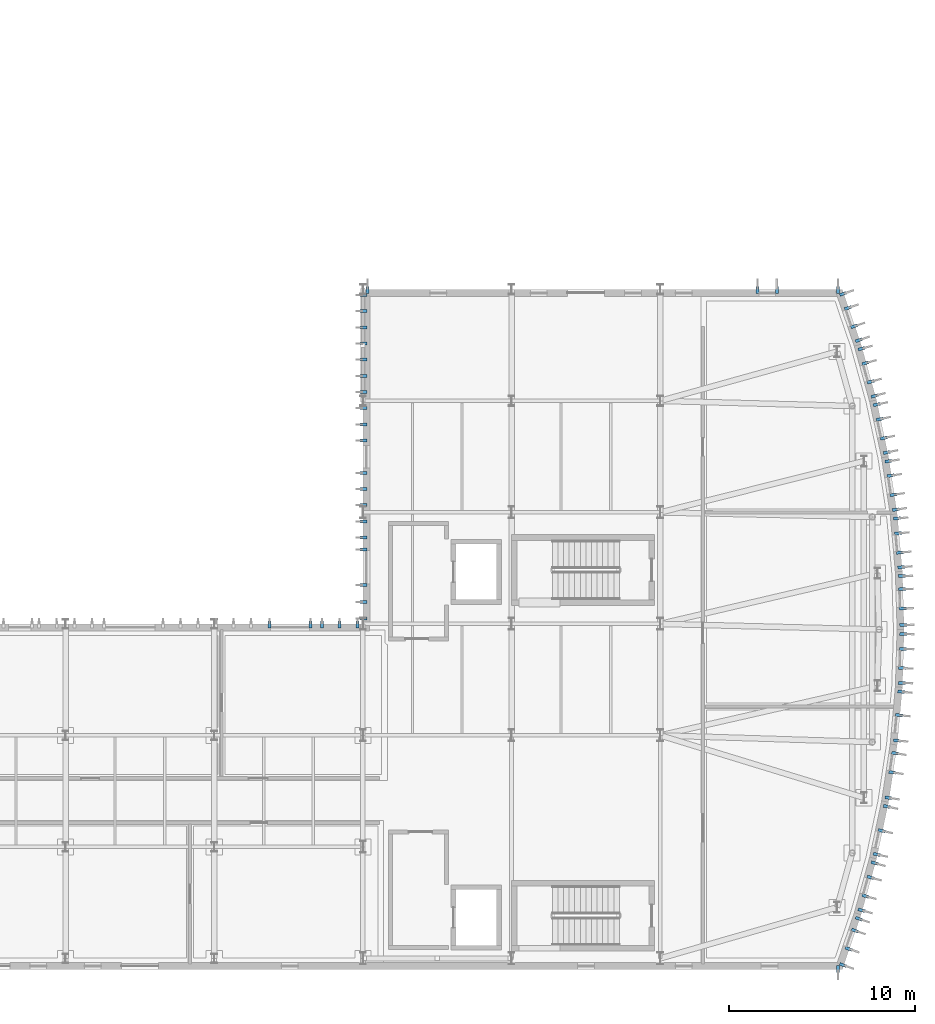
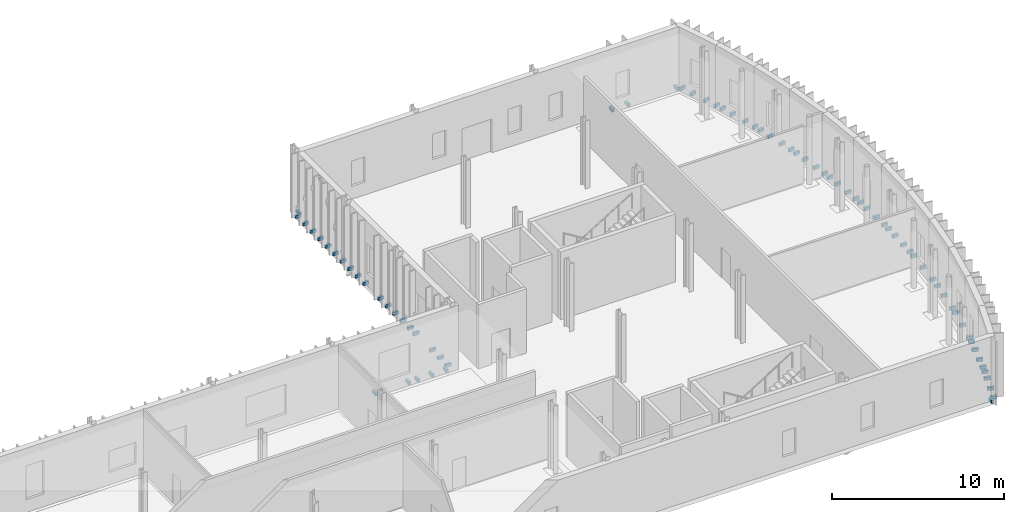
# One storey, part 39 of 60: 74 discrete accessories.
"""IFC4 building model written with IfcOpenShell, lengths in metres."""

from ifc_helpers import new_model, si_unit, direction, frame, origin, origin_2d, place, context, subcontext, project, spatial, rectangle, extrude, material, type_object, element, save


model = new_model("IFC4")

# Units and contexts
model_context = context("Model", 3, precision=1e-05, world=origin(), true_north=direction((0.0, 1.0)))
body_context = subcontext(model_context, "Body", "Model", "MODEL_VIEW")
ifc_project = project(units=[si_unit("LENGTHUNIT", "METRE"), si_unit("AREAUNIT", "SQUARE_METRE"), si_unit("VOLUMEUNIT", "CUBIC_METRE"), si_unit("PLANEANGLEUNIT", "RADIAN"), si_unit("MASSUNIT", "GRAM", prefix="KILO")], contexts=[model_context])

# Site, building, storey
site_placement = place(None, origin())
site = spatial("IfcSite", under=ifc_project, at=site_placement, CompositionType="ELEMENT")
building_placement = place(site_placement, origin())
building = spatial("IfcBuilding", under=site, at=building_placement, Name="Cymarion Research Institute", CompositionType="ELEMENT")
storey_placement = place(building_placement, origin())
storey = spatial("IfcBuildingStorey", under=building, at=storey_placement, Name="L00", CompositionType="ELEMENT", Elevation=0.0)

# Discrete accessories
ifc_material = material(Name="Steel S355", Category="steel")
discrete_accessory_type = type_object("IfcDiscreteAccessoryType", Name="STAINLESS STEEL FACADE FIN BRACKET FBK1", PredefinedType="BRACKET", material=ifc_material)
for number, where, z_axis, x_axis, name in (
    (1, (164.159912109375, 4.93994140625, -0.08984375), (0.0, 0.0, 1.0), (0.0, -1.0, 0.0), "L00 V1 precast fin anchor bracket #4"),
    (2, (164.439697265625, 5.139892578125, -0.08984375), (0.0, 0.0, 1.0), (0.946141878672, -0.32375229022, 0.0), "L00 V1 precast fin anchor bracket #5"),
    (3, (164.7392578125, 6.014892578125, -0.08984375), (0.0, 0.0, 1.0), (0.946141878672, -0.32375229022, 0.0), "L00 V1 precast fin anchor bracket #6"),
    (4, (165.07568359375, 6.998779296875, -0.08984375), (0.0, 0.0, 1.0), (0.946141878672, -0.32375229022, 0.0), "L00 V1 precast fin anchor bracket #7"),
    (5, (165.293212890625, 7.634521484375, -0.08984375), (0.0, 0.0, 1.0), (0.946141878672, -0.32375229022, 0.0), "L00 V1 precast fin anchor bracket #8"),
    (6, (165.43408203125, 8.090576171875, -0.08984375), (0.0, 0.0, 1.0), (0.963863295733, -0.266397348219, 0.0), "L00 V1 precast fin anchor bracket #9"),
    (7, (165.645263671875, 8.853759765625, -0.08984375), (0.0, 0.0, 1.0), (0.963863295733, -0.266397348219, 0.0), "L00 V1 precast fin anchor bracket #10"),
    (8, (165.92236328125, 9.856201171875, -0.08984375), (0.0, 0.0, 1.0), (0.963863295733, -0.266397348219, 0.0), "L00 V1 precast fin anchor bracket #11"),
    (9, (166.13671875, 10.631591796875, -0.08984375), (0.0, 0.0, 1.0), (0.963863295733, -0.266397348219, 0.0), "L00 V1 precast fin anchor bracket #12"),
    (10, (166.25, 11.09521484375, -0.08984375), (0.0, 0.0, 1.0), (0.978074966272, -0.208253116068, 0.0), "L00 V1 precast fin anchor bracket #13"),
    (11, (166.52099609375, 12.36767578125, -0.08984375), (0.0, 0.0, 1.0), (0.978074966272, -0.208253116068, 0.0), "L00 V1 precast fin anchor bracket #14"),
    (12, (166.799072265625, 13.673583984375, -0.08984375), (0.0, 0.0, 1.0), (0.978074966272, -0.208253116068, 0.0), "L00 V1 precast fin anchor bracket #15"),
    (13, (166.884521484375, 14.143310546875, -0.08984375), (0.0, 0.0, 1.0), (0.988782464828, -0.149362770624, 0.0), "L00 V1 precast fin anchor bracket #16"),
    (14, (167.091064453125, 15.511962890625, -0.08984375), (0.0, 0.0, 1.0), (0.988782464828, -0.149362770624, 0.0), "L00 V1 precast fin anchor bracket #17"),
    (15, (167.24609375, 16.540283203125, -0.08984375), (0.0, 0.0, 1.0), (0.988782464828, -0.149362770624, 0.0), "L00 V1 precast fin anchor bracket #18"),
    (16, (167.3349609375, 17.22412109375, -0.08984375), (0.0, 0.0, 1.0), (0.995963111248, -0.089763472712, 0.0), "L00 V1 precast fin anchor bracket #19"),
    (17, (167.457763671875, 18.58544921875, -0.08984375), (0.0, 0.0, 1.0), (0.995963111248, -0.089763472712, 0.0), "L00 V1 precast fin anchor bracket #20"),
    (18, (167.57177734375, 19.849609375, -0.08984375), (0.0, 0.0, 1.0), (0.995963111248, -0.089763472712, 0.0), "L00 V1 precast fin anchor bracket #21"),
    (19, (167.600341796875, 20.326171875, -0.08984375), (0.0, 0.0, 1.0), (0.99954944375, -0.030015154483, 0.0), "L00 V1 precast fin anchor bracket #22"),
    (20, (167.6240234375, 21.117919921875, -0.08984375), (0.0, 0.0, 1.0), (0.99954944375, -0.030015154483, 0.0), "L00 V1 precast fin anchor bracket #23"),
    (21, (167.6552734375, 22.157470703125, -0.08984375), (0.0, 0.0, 1.0), (0.99954944375, -0.030015154483, 0.0), "L00 V1 precast fin anchor bracket #24"),
    (22, (167.67919921875, 22.961181640625, -0.08984375), (0.0, 0.0, 1.0), (0.99954944375, -0.030015154483, 0.0), "L00 V1 precast fin anchor bracket #25"),
    (23, (167.67919921875, 23.438720703125, -0.08984375), (0.0, 0.0, 1.0), (0.99954944375, 0.030015154483, 0.0), "L00 V1 precast fin anchor bracket #26"),
    (24, (167.652587890625, 24.330322265625, -0.08984375), (0.0, 0.0, 1.0), (0.99954944375, 0.030015154483, 0.0), "L00 V1 precast fin anchor bracket #27"),
    (25, (167.621337890625, 25.369873046875, -0.08984375), (0.0, 0.0, 1.0), (0.99954944375, 0.030015154483, 0.0), "L00 V1 precast fin anchor bracket #28"),
    (26, (167.600341796875, 26.07373046875, -0.08984375), (0.0, 0.0, 1.0), (0.99954944375, 0.030015154483, 0.0), "L00 V1 precast fin anchor bracket #29"),
    (27, (167.57177734375, 26.55029296875, -0.08984375), (0.0, 0.0, 1.0), (0.995963111248, 0.089763472712, 0.0), "L00 V1 precast fin anchor bracket #30"),
    (28, (167.50048828125, 27.339111328125, -0.08984375), (0.0, 0.0, 1.0), (0.995963111248, 0.089763472712, 0.0), "L00 V1 precast fin anchor bracket #31"),
    (29, (167.4072265625, 28.375, -0.08984375), (0.0, 0.0, 1.0), (0.995963111248, 0.089763472712, 0.0), "L00 V1 precast fin anchor bracket #32"),
    (30, (167.3349609375, 29.176025390625, -0.08984375), (0.0, 0.0, 1.0), (0.995963111248, 0.089763472712, 0.0), "L00 V1 precast fin anchor bracket #33"),
    (31, (167.27783203125, 29.64990234375, -0.08984375), (0.0, 0.0, 1.0), (0.988782464828, 0.149362770624, 0.0), "L00 V1 precast fin anchor bracket #34"),
    (32, (167.156982421875, 30.450927734375, -0.08984375), (0.0, 0.0, 1.0), (0.988782464828, 0.149362770624, 0.0), "L00 V1 precast fin anchor bracket #35"),
    (33, (167.001708984375, 31.479248046875, -0.08984375), (0.0, 0.0, 1.0), (0.988782464828, 0.149362770624, 0.0), "L00 V1 precast fin anchor bracket #36"),
    (34, (166.884521484375, 32.256591796875, -0.08984375), (0.0, 0.0, 1.0), (0.988782464828, 0.149362770624, 0.0), "L00 V1 precast fin anchor bracket #37"),
    (35, (166.799072265625, 32.726318359375, -0.08984375), (0.0, 0.0, 1.0), (0.978074966272, 0.208253116068, 0.0), "L00 V1 precast fin anchor bracket #38"),
    (36, (166.634033203125, 33.5009765625, -0.08984375), (0.0, 0.0, 1.0), (0.978074966272, 0.208253116068, 0.0), "L00 V1 precast fin anchor bracket #39"),
    (37, (166.41748046875, 34.518310546875, -0.08984375), (0.0, 0.0, 1.0), (0.978074966272, 0.208253116068, 0.0), "L00 V1 precast fin anchor bracket #40"),
    (38, (166.25, 35.3046875, -0.08984375), (0.0, 0.0, 1.0), (0.978074966272, 0.208253116068, 0.0), "L00 V1 precast fin anchor bracket #41"),
    (39, (166.13671875, 35.7685546875, -0.08984375), (0.0, 0.0, 1.0), (0.963863295733, 0.266397348219, 0.0), "L00 V1 precast fin anchor bracket #42"),
    (40, (165.925537109375, 36.531982421875, -0.08984375), (0.0, 0.0, 1.0), (0.963863295733, 0.266397348219, 0.0), "L00 V1 precast fin anchor bracket #43"),
    (41, (165.6484375, 37.5341796875, -0.08984375), (0.0, 0.0, 1.0), (0.963863295733, 0.266397348219, 0.0), "L00 V1 precast fin anchor bracket #44"),
    (42, (165.43408203125, 38.3095703125, -0.08984375), (0.0, 0.0, 1.0), (0.963863295733, 0.266397348219, 0.0), "L00 V1 precast fin anchor bracket #45"),
    (43, (165.293212890625, 38.765625, -0.08984375), (0.0, 0.0, 1.0), (0.946141878672, 0.32375229022, 0.0), "L00 V1 precast fin anchor bracket #46"),
    (44, (165.036865234375, 39.514892578125, -0.08984375), (0.0, 0.0, 1.0), (0.946141878672, 0.32375229022, 0.0), "L00 V1 precast fin anchor bracket #47"),
    (45, (164.7001953125, 40.4990234375, -0.08984375), (0.0, 0.0, 1.0), (0.946141878672, 0.32375229022, 0.0), "L00 V1 precast fin anchor bracket #48"),
    (46, (164.439697265625, 41.260009765625, -0.08984375), (0.0, 0.0, 1.0), (0.946141878672, 0.32375229022, 0.0), "L00 V1 precast fin anchor bracket #49"),
    (47, (164.159912109375, 41.4599609375, -0.08984375), (0.0, 0.0, 1.0), (0.0, 1.0, 0.0), "L00 V1 precast fin anchor bracket #50"),
    (48, (160.873291015625, 41.4599609375, -0.08984375), (0.0, 0.0, 1.0), (0.0, 1.0, 0.0), "L00 V1 precast fin anchor bracket #51"),
    (49, (159.83349609375, 41.4599609375, -0.08984375), (0.0, 0.0, 1.0), (0.0, 1.0, 0.0), "L00 V1 precast fin anchor bracket #52"),
    (50, (138.840087890625, 41.4599609375, -0.08984375), (0.0, 0.0, 1.0), (0.0, 1.0, 0.0), "L00 V1 precast fin anchor bracket #53"),
    (51, (138.639892578125, 41.199951171875, -0.08984375), (0.0, 0.0, 1.0), (-1.0, 0.0, 0.0), "L00 V1 precast fin anchor bracket #54"),
    (52, (138.639892578125, 40.330078125, -0.08984375), (0.0, 0.0, 1.0), (-1.0, 0.0, 0.0), "L00 V1 precast fin anchor bracket #55"),
    (53, (138.639892578125, 39.4599609375, -0.08984375), (0.0, 0.0, 1.0), (-1.0, 0.0, 0.0), "L00 V1 precast fin anchor bracket #56"),
    (54, (138.639892578125, 38.590087890625, -0.08984375), (0.0, 0.0, 1.0), (-1.0, 0.0, 0.0), "L00 V1 precast fin anchor bracket #57"),
    (55, (138.639892578125, 37.719970703125, -0.08984375), (0.0, 0.0, 1.0), (-1.0, 0.0, 0.0), "L00 V1 precast fin anchor bracket #58"),
    (56, (138.639892578125, 36.85009765625, -0.08984375), (0.0, 0.0, 1.0), (-1.0, 0.0, 0.0), "L00 V1 precast fin anchor bracket #59"),
    (57, (138.639892578125, 35.97998046875, -0.08984375), (0.0, 0.0, 1.0), (-1.0, 0.0, 0.0), "L00 V1 precast fin anchor bracket #60"),
    (58, (138.639892578125, 35.110107421875, -0.08984375), (0.0, 0.0, 1.0), (-1.0, 0.0, 0.0), "L00 V1 precast fin anchor bracket #61"),
    (59, (138.639892578125, 34.239990234375, -0.08984375), (0.0, 0.0, 1.0), (-1.0, 0.0, 0.0), "L00 V1 precast fin anchor bracket #62"),
    (60, (138.639892578125, 33.3701171875, -0.08984375), (0.0, 0.0, 1.0), (-1.0, 0.0, 0.0), "L00 V1 precast fin anchor bracket #63"),
    (61, (138.639892578125, 31.6298828125, -0.08984375), (0.0, 0.0, 1.0), (-1.0, 0.0, 0.0), "L00 V1 precast fin anchor bracket #64"),
    (62, (138.639892578125, 30.760009765625, -0.08984375), (0.0, 0.0, 1.0), (-1.0, 0.0, 0.0), "L00 V1 precast fin anchor bracket #65"),
    (63, (138.639892578125, 29.889892578125, -0.08984375), (0.0, 0.0, 1.0), (-1.0, 0.0, 0.0), "L00 V1 precast fin anchor bracket #66"),
    (64, (138.639892578125, 29.02001953125, -0.08984375), (0.0, 0.0, 1.0), (-1.0, 0.0, 0.0), "L00 V1 precast fin anchor bracket #67"),
    (65, (138.639892578125, 28.14990234375, -0.08984375), (0.0, 0.0, 1.0), (-1.0, 0.0, 0.0), "L00 V1 precast fin anchor bracket #68"),
    (66, (138.639892578125, 27.510009765625, -0.08984375), (0.0, 0.0, 1.0), (-1.0, 0.0, 0.0), "L00 V1 precast fin anchor bracket #69"),
    (67, (138.639892578125, 25.590087890625, -0.08984375), (0.0, 0.0, 1.0), (-1.0, 0.0, 0.0), "L00 V1 precast fin anchor bracket #70"),
    (68, (138.639892578125, 24.669921875, -0.08984375), (0.0, 0.0, 1.0), (-1.0, 0.0, 0.0), "L00 V1 precast fin anchor bracket #71"),
    (69, (138.639892578125, 23.800048828125, -0.08984375), (0.0, 0.0, 1.0), (-1.0, 0.0, 0.0), "L00 V1 precast fin anchor bracket #72"),
    (70, (138.300048828125, 23.4599609375, -0.08984375), (0.0, 0.0, 1.0), (0.0, 1.0, 0.0), "L00 V1 precast fin anchor bracket #73"),
    (71, (137.3486328125, 23.4599609375, -0.08984375), (0.0, 0.0, 1.0), (0.0, 1.0, 0.0), "L00 V1 precast fin anchor bracket #74"),
    (72, (136.397216796875, 23.4599609375, -0.08984375), (0.0, 0.0, 1.0), (0.0, 1.0, 0.0), "L00 V1 precast fin anchor bracket #75"),
    (73, (135.7900390625, 23.4599609375, -0.08984375), (0.0, 0.0, 1.0), (0.0, 1.0, 0.0), "L00 V1 precast fin anchor bracket #76"),
    (74, (133.570068359375, 23.4599609375, -0.08984375), (0.0, 0.0, 1.0), (0.0, 1.0, 0.0), "L00 V1 precast fin anchor bracket #77"),
):
    element("IfcDiscreteAccessory", number, at=place(storey_placement, frame(where, z_axis=z_axis, x_axis=x_axis)), inside=storey, type_object=discrete_accessory_type, Name=name, PredefinedType="BRACKET", context=body_context, shape_type="SweptSolid", body=[
        extrude(rectangle(XDim=0.3798828125, YDim=0.159912109375, at=origin_2d()), origin(), (0.0, 0.0, 1.0), 0.219970703125),
    ])

save(model, "model.ifc")
